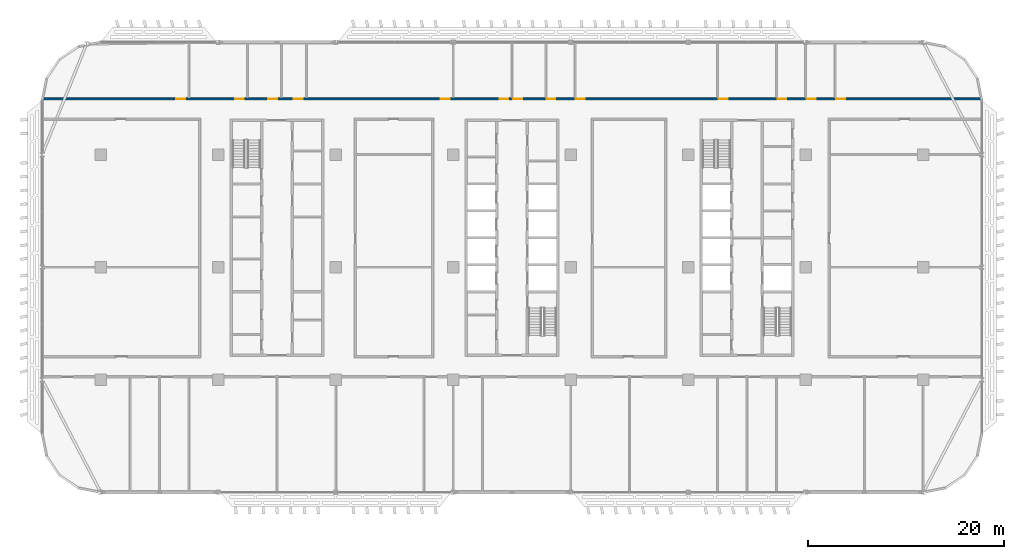
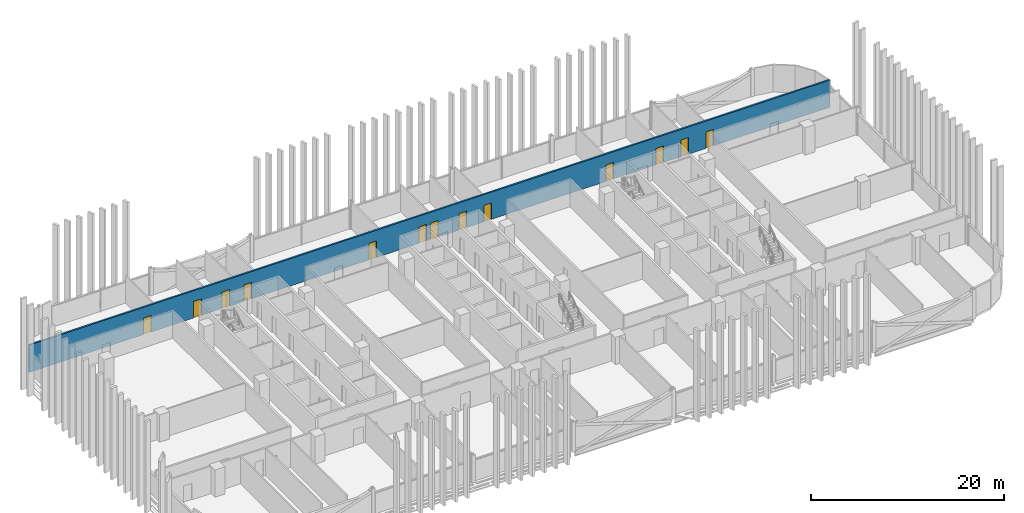
# One storey, part 15 of 28: 13 doors, 1 wall, 13 openings.
"""IFC4 building model written with IfcOpenShell, lengths in metres."""

from ifc_helpers import new_model, si_unit, direction, frame, frame_2d, origin, place, context, subcontext, project, spatial, rectangle, extrude, material, layer, layer_set, type_object, element, fill, save


model = new_model("IFC4")

# Units and contexts
model_context = context("Model", 3, precision=1e-05, world=origin(), true_north=direction((0.0, 1.0)))
body_context = subcontext(model_context, "Body", "Model", "MODEL_VIEW")
ifc_project = project(units=[si_unit("LENGTHUNIT", "METRE"), si_unit("AREAUNIT", "SQUARE_METRE"), si_unit("VOLUMEUNIT", "CUBIC_METRE"), si_unit("PLANEANGLEUNIT", "RADIAN"), si_unit("MASSUNIT", "GRAM", prefix="KILO")], contexts=[model_context])

# Site, building, storey
site_placement = place(None, origin())
site = spatial("IfcSite", under=ifc_project, at=site_placement, CompositionType="ELEMENT")
building_placement = place(site_placement, origin())
building = spatial("IfcBuilding", under=site, at=building_placement, Name="Mahtab Terrace Research Tower", CompositionType="ELEMENT")
storey_placement = place(building_placement, frame((0.0, 0.0, 174.39990234375)))
storey = spatial("IfcBuildingStorey", under=building, at=storey_placement, Name="L41", CompositionType="ELEMENT", Elevation=174.39990234375)

# Wall, openings, doors
ifc_material_1 = material(Name="Gypsum board corridor wall on steel studs", Category="steel")
ifc_layer = layer(ifc_material_1, 0.199951171875)
ifc_layer_set = layer_set([ifc_layer], Name="WALL CORRIDOR 200")
wall_type = type_object("IfcWallType", Name="WALL CORRIDOR 200", PredefinedType="PARTITIONING", material=ifc_layer_set)
wall_placement = place(storey_placement, frame((-47.97509765625, 17.199951171875, 0.0), z_axis=(0.0, 0.0, 1.0), x_axis=(1.0, 0.0, 0.0)))
wall = element("IfcWall", 1, at=wall_placement, inside=storey, type_object=wall_type, Name="L41-W027", PredefinedType="PARTITIONING", context=body_context, shape_type="SweptSolid", body=[
    extrude(rectangle(XDim=95.9501953125, YDim=0.199951171875, at=frame_2d((47.97509765625, 0.0))), origin(), (0.0, 0.0, 1.0), 3.460205078125),
])
opening_1_placement = place(wall_placement, frame((13.699951171875, 0.0, 0.0)))
opening_1 = element("IfcOpeningElement", 2, at=opening_1_placement, cuts=wall, Name="Opening L41-127", PredefinedType="OPENING", context=body_context, shape_type="SweptSolid", body=[
    extrude(rectangle(XDim=0.89990234375, YDim=2.10009765625, at=frame_2d((0.449951171875, 1.050048828125))), frame((0.0, 0.10986328125, 0.0), z_axis=(0.0, -1.0, 0.0), x_axis=(1.0, 0.0, 0.0)), (0.0, 0.0, 1.0), 0.219970703125),
])
opening_2_placement = place(wall_placement, frame((19.699951171875, 0.0, 0.0)))
opening_2 = element("IfcOpeningElement", 3, at=opening_2_placement, cuts=wall, Name="Opening L41-128", PredefinedType="OPENING", context=body_context, shape_type="SweptSolid", body=[
    extrude(rectangle(XDim=0.89990234375, YDim=2.10009765625, at=frame_2d((0.449951171875, 1.050048828125))), frame((0.0, 0.10986328125, 0.0), z_axis=(0.0, -1.0, 0.0), x_axis=(1.0, 0.0, 0.0)), (0.0, 0.0, 1.0), 0.219970703125),
])
opening_3_placement = place(wall_placement, frame((23.10009765625, 0.0, 0.0)))
opening_3 = element("IfcOpeningElement", 4, at=opening_3_placement, cuts=wall, Name="Opening L41-129", PredefinedType="OPENING", context=body_context, shape_type="SweptSolid", body=[
    extrude(rectangle(XDim=0.89990234375, YDim=2.10009765625, at=frame_2d((0.449951171875, 1.050048828125))), frame((0.0, 0.10986328125, 0.0), z_axis=(0.0, -1.0, 0.0), x_axis=(1.0, 0.0, 0.0)), (0.0, 0.0, 1.0), 0.219970703125),
])
opening_4_placement = place(wall_placement, frame((25.699951171875, 0.0, 0.0)))
opening_4 = element("IfcOpeningElement", 5, at=opening_4_placement, cuts=wall, Name="Opening L41-130", PredefinedType="OPENING", context=body_context, shape_type="SweptSolid", body=[
    extrude(rectangle(XDim=0.89990234375, YDim=2.10009765625, at=frame_2d((0.449951171875, 1.050048828125))), frame((0.0, 0.10986328125, 0.0), z_axis=(0.0, -1.0, 0.0), x_axis=(1.0, 0.0, 0.0)), (0.0, 0.0, 1.0), 0.219970703125),
])
opening_5_placement = place(wall_placement, frame((40.699951171875, 0.0, 0.0)))
opening_5 = element("IfcOpeningElement", 6, at=opening_5_placement, cuts=wall, Name="Opening L41-131", PredefinedType="OPENING", context=body_context, shape_type="SweptSolid", body=[
    extrude(rectangle(XDim=0.89990234375, YDim=2.10009765625, at=frame_2d((0.449951171875, 1.050048828125))), frame((0.0, 0.10986328125, 0.0), z_axis=(0.0, -1.0, 0.0), x_axis=(1.0, 0.0, 0.0)), (0.0, 0.0, 1.0), 0.219970703125),
])
opening_6_placement = place(wall_placement, frame((46.699951171875, 0.0, 0.0)))
opening_6 = element("IfcOpeningElement", 7, at=opening_6_placement, cuts=wall, Name="Opening L41-132", PredefinedType="OPENING", context=body_context, shape_type="SweptSolid", body=[
    extrude(rectangle(XDim=0.89990234375, YDim=2.10009765625, at=frame_2d((0.449951171875, 1.050048828125))), frame((0.0, 0.10986328125, 0.0), z_axis=(0.0, -1.0, 0.0), x_axis=(1.0, 0.0, 0.0)), (0.0, 0.0, 1.0), 0.219970703125),
])
opening_7_placement = place(wall_placement, frame((48.10009765625, 0.0, 0.0)))
opening_7 = element("IfcOpeningElement", 8, at=opening_7_placement, cuts=wall, Name="Opening L41-133", PredefinedType="OPENING", context=body_context, shape_type="SweptSolid", body=[
    extrude(rectangle(XDim=0.89990234375, YDim=2.10009765625, at=frame_2d((0.449951171875, 1.050048828125))), frame((0.0, 0.10986328125, 0.0), z_axis=(0.0, -1.0, 0.0), x_axis=(1.0, 0.0, 0.0)), (0.0, 0.0, 1.0), 0.219970703125),
])
opening_8_placement = place(wall_placement, frame((51.5, 0.0, 0.0)))
opening_8 = element("IfcOpeningElement", 9, at=opening_8_placement, cuts=wall, Name="Opening L41-134", PredefinedType="OPENING", context=body_context, shape_type="SweptSolid", body=[
    extrude(rectangle(XDim=0.89990234375, YDim=2.10009765625, at=frame_2d((0.449951171875, 1.050048828125))), frame((0.0, 0.10986328125, 0.0), z_axis=(0.0, -1.0, 0.0), x_axis=(1.0, 0.0, 0.0)), (0.0, 0.0, 1.0), 0.219970703125),
])
opening_9_placement = place(wall_placement, frame((54.5, 0.0, 0.0)))
opening_9 = element("IfcOpeningElement", 10, at=opening_9_placement, cuts=wall, Name="Opening L41-135", PredefinedType="OPENING", context=body_context, shape_type="SweptSolid", body=[
    extrude(rectangle(XDim=0.89990234375, YDim=2.10009765625, at=frame_2d((0.449951171875, 1.050048828125))), frame((0.0, 0.10986328125, 0.0), z_axis=(0.0, -1.0, 0.0), x_axis=(1.0, 0.0, 0.0)), (0.0, 0.0, 1.0), 0.219970703125),
])
opening_10_placement = place(wall_placement, frame((69.10009765625, 0.0, 0.0)))
opening_10 = element("IfcOpeningElement", 11, at=opening_10_placement, cuts=wall, Name="Opening L41-136", PredefinedType="OPENING", context=body_context, shape_type="SweptSolid", body=[
    extrude(rectangle(XDim=0.89990234375, YDim=2.10009765625, at=frame_2d((0.449951171875, 1.050048828125))), frame((0.0, 0.10986328125, 0.0), z_axis=(0.0, -1.0, 0.0), x_axis=(1.0, 0.0, 0.0)), (0.0, 0.0, 1.0), 0.219970703125),
])
opening_11_placement = place(wall_placement, frame((75.10009765625, 0.0, 0.0)))
opening_11 = element("IfcOpeningElement", 12, at=opening_11_placement, cuts=wall, Name="Opening L41-137", PredefinedType="OPENING", context=body_context, shape_type="SweptSolid", body=[
    extrude(rectangle(XDim=0.89990234375, YDim=2.10009765625, at=frame_2d((0.449951171875, 1.050048828125))), frame((0.0, 0.10986328125, 0.0), z_axis=(0.0, -1.0, 0.0), x_axis=(1.0, 0.0, 0.0)), (0.0, 0.0, 1.0), 0.219970703125),
])
opening_12_placement = place(wall_placement, frame((78.10009765625, 0.0, 0.0)))
opening_12 = element("IfcOpeningElement", 13, at=opening_12_placement, cuts=wall, Name="Opening L41-138", PredefinedType="OPENING", context=body_context, shape_type="SweptSolid", body=[
    extrude(rectangle(XDim=0.89990234375, YDim=2.10009765625, at=frame_2d((0.449951171875, 1.050048828125))), frame((0.0, 0.10986328125, 0.0), z_axis=(0.0, -1.0, 0.0), x_axis=(1.0, 0.0, 0.0)), (0.0, 0.0, 1.0), 0.219970703125),
])
opening_13_placement = place(wall_placement, frame((81.10009765625, 0.0, 0.0)))
opening_13 = element("IfcOpeningElement", 14, at=opening_13_placement, cuts=wall, Name="Opening L41-139", PredefinedType="OPENING", context=body_context, shape_type="SweptSolid", body=[
    extrude(rectangle(XDim=0.89990234375, YDim=2.10009765625, at=frame_2d((0.449951171875, 1.050048828125))), frame((0.0, 0.10986328125, 0.0), z_axis=(0.0, -1.0, 0.0), x_axis=(1.0, 0.0, 0.0)), (0.0, 0.0, 1.0), 0.219970703125),
])
ifc_material_2 = material(Name="Timber door leaf in steel frame", Category="steel")
door_type = type_object("IfcDoorType", Name="DOOR 0900X2100 FD30S", OperationType="SINGLE_SWING_LEFT", PredefinedType="DOOR", material=ifc_material_2)
door_1_placement = place(opening_1_placement, origin())
door_1 = element("IfcDoor", 15, at=door_1_placement, inside=storey, type_object=door_type, Name="Door L41-127", OperationType="SINGLE_SWING_LEFT", OverallHeight=2.10009765625, OverallWidth=0.89990234375, PredefinedType="DOOR", context=body_context, shape_type="SweptSolid", body=[
    extrude(rectangle(XDim=0.89990234375, YDim=2.10009765625, at=frame_2d((0.449951171875, 1.050048828125))), frame((0.0, 0.02490234375, 0.0), z_axis=(0.0, -1.0, 0.0), x_axis=(1.0, 0.0, 0.0)), (0.0, 0.0, 1.0), 0.050048828125),
])
fill(opening_1, door_1)
door_2_placement = place(opening_2_placement, origin())
door_2 = element("IfcDoor", 16, at=door_2_placement, inside=storey, type_object=door_type, Name="Door L41-128", OperationType="SINGLE_SWING_LEFT", OverallHeight=2.10009765625, OverallWidth=0.89990234375, PredefinedType="DOOR", context=body_context, shape_type="SweptSolid", body=[
    extrude(rectangle(XDim=0.89990234375, YDim=2.10009765625, at=frame_2d((0.449951171875, 1.050048828125))), frame((0.0, 0.02490234375, 0.0), z_axis=(0.0, -1.0, 0.0), x_axis=(1.0, 0.0, 0.0)), (0.0, 0.0, 1.0), 0.050048828125),
])
fill(opening_2, door_2)
door_3_placement = place(opening_3_placement, origin())
door_3 = element("IfcDoor", 17, at=door_3_placement, inside=storey, type_object=door_type, Name="Door L41-129", OperationType="SINGLE_SWING_LEFT", OverallHeight=2.10009765625, OverallWidth=0.89990234375, PredefinedType="DOOR", context=body_context, shape_type="SweptSolid", body=[
    extrude(rectangle(XDim=0.89990234375, YDim=2.10009765625, at=frame_2d((0.449951171875, 1.050048828125))), frame((0.0, 0.02490234375, 0.0), z_axis=(0.0, -1.0, 0.0), x_axis=(1.0, 0.0, 0.0)), (0.0, 0.0, 1.0), 0.050048828125),
])
fill(opening_3, door_3)
door_4_placement = place(opening_4_placement, origin())
door_4 = element("IfcDoor", 18, at=door_4_placement, inside=storey, type_object=door_type, Name="Door L41-130", OperationType="SINGLE_SWING_LEFT", OverallHeight=2.10009765625, OverallWidth=0.89990234375, PredefinedType="DOOR", context=body_context, shape_type="SweptSolid", body=[
    extrude(rectangle(XDim=0.89990234375, YDim=2.10009765625, at=frame_2d((0.449951171875, 1.050048828125))), frame((0.0, 0.02490234375, 0.0), z_axis=(0.0, -1.0, 0.0), x_axis=(1.0, 0.0, 0.0)), (0.0, 0.0, 1.0), 0.050048828125),
])
fill(opening_4, door_4)
door_5_placement = place(opening_5_placement, origin())
door_5 = element("IfcDoor", 19, at=door_5_placement, inside=storey, type_object=door_type, Name="Door L41-131", OperationType="SINGLE_SWING_LEFT", OverallHeight=2.10009765625, OverallWidth=0.89990234375, PredefinedType="DOOR", context=body_context, shape_type="SweptSolid", body=[
    extrude(rectangle(XDim=0.89990234375, YDim=2.10009765625, at=frame_2d((0.449951171875, 1.050048828125))), frame((0.0, 0.02490234375, 0.0), z_axis=(0.0, -1.0, 0.0), x_axis=(1.0, 0.0, 0.0)), (0.0, 0.0, 1.0), 0.050048828125),
])
fill(opening_5, door_5)
door_6_placement = place(opening_6_placement, origin())
door_6 = element("IfcDoor", 20, at=door_6_placement, inside=storey, type_object=door_type, Name="Door L41-132", OperationType="SINGLE_SWING_LEFT", OverallHeight=2.10009765625, OverallWidth=0.89990234375, PredefinedType="DOOR", context=body_context, shape_type="SweptSolid", body=[
    extrude(rectangle(XDim=0.89990234375, YDim=2.10009765625, at=frame_2d((0.449951171875, 1.050048828125))), frame((0.0, 0.02490234375, 0.0), z_axis=(0.0, -1.0, 0.0), x_axis=(1.0, 0.0, 0.0)), (0.0, 0.0, 1.0), 0.050048828125),
])
fill(opening_6, door_6)
door_7_placement = place(opening_7_placement, origin())
door_7 = element("IfcDoor", 21, at=door_7_placement, inside=storey, type_object=door_type, Name="Door L41-133", OperationType="SINGLE_SWING_RIGHT", OverallHeight=2.10009765625, OverallWidth=0.89990234375, PredefinedType="DOOR", context=body_context, shape_type="SweptSolid", body=[
    extrude(rectangle(XDim=0.89990234375, YDim=2.10009765625, at=frame_2d((0.449951171875, 1.050048828125))), frame((0.0, 0.02490234375, 0.0), z_axis=(0.0, -1.0, 0.0), x_axis=(1.0, 0.0, 0.0)), (0.0, 0.0, 1.0), 0.050048828125),
])
fill(opening_7, door_7)
door_8_placement = place(opening_8_placement, origin())
door_8 = element("IfcDoor", 22, at=door_8_placement, inside=storey, type_object=door_type, Name="Door L41-134", OperationType="SINGLE_SWING_RIGHT", OverallHeight=2.10009765625, OverallWidth=0.89990234375, PredefinedType="DOOR", context=body_context, shape_type="SweptSolid", body=[
    extrude(rectangle(XDim=0.89990234375, YDim=2.10009765625, at=frame_2d((0.449951171875, 1.050048828125))), frame((0.0, 0.02490234375, 0.0), z_axis=(0.0, -1.0, 0.0), x_axis=(1.0, 0.0, 0.0)), (0.0, 0.0, 1.0), 0.050048828125),
])
fill(opening_8, door_8)
door_9_placement = place(opening_9_placement, origin())
door_9 = element("IfcDoor", 23, at=door_9_placement, inside=storey, type_object=door_type, Name="Door L41-135", OperationType="SINGLE_SWING_RIGHT", OverallHeight=2.10009765625, OverallWidth=0.89990234375, PredefinedType="DOOR", context=body_context, shape_type="SweptSolid", body=[
    extrude(rectangle(XDim=0.89990234375, YDim=2.10009765625, at=frame_2d((0.449951171875, 1.050048828125))), frame((0.0, 0.02490234375, 0.0), z_axis=(0.0, -1.0, 0.0), x_axis=(1.0, 0.0, 0.0)), (0.0, 0.0, 1.0), 0.050048828125),
])
fill(opening_9, door_9)
door_10_placement = place(opening_10_placement, origin())
door_10 = element("IfcDoor", 24, at=door_10_placement, inside=storey, type_object=door_type, Name="Door L41-136", OperationType="SINGLE_SWING_RIGHT", OverallHeight=2.10009765625, OverallWidth=0.89990234375, PredefinedType="DOOR", context=body_context, shape_type="SweptSolid", body=[
    extrude(rectangle(XDim=0.89990234375, YDim=2.10009765625, at=frame_2d((0.449951171875, 1.050048828125))), frame((0.0, 0.02490234375, 0.0), z_axis=(0.0, -1.0, 0.0), x_axis=(1.0, 0.0, 0.0)), (0.0, 0.0, 1.0), 0.050048828125),
])
fill(opening_10, door_10)
door_11_placement = place(opening_11_placement, origin())
door_11 = element("IfcDoor", 25, at=door_11_placement, inside=storey, type_object=door_type, Name="Door L41-137", OperationType="SINGLE_SWING_RIGHT", OverallHeight=2.10009765625, OverallWidth=0.89990234375, PredefinedType="DOOR", context=body_context, shape_type="SweptSolid", body=[
    extrude(rectangle(XDim=0.89990234375, YDim=2.10009765625, at=frame_2d((0.449951171875, 1.050048828125))), frame((0.0, 0.02490234375, 0.0), z_axis=(0.0, -1.0, 0.0), x_axis=(1.0, 0.0, 0.0)), (0.0, 0.0, 1.0), 0.050048828125),
])
fill(opening_11, door_11)
door_12_placement = place(opening_12_placement, origin())
door_12 = element("IfcDoor", 26, at=door_12_placement, inside=storey, type_object=door_type, Name="Door L41-138", OperationType="SINGLE_SWING_RIGHT", OverallHeight=2.10009765625, OverallWidth=0.89990234375, PredefinedType="DOOR", context=body_context, shape_type="SweptSolid", body=[
    extrude(rectangle(XDim=0.89990234375, YDim=2.10009765625, at=frame_2d((0.449951171875, 1.050048828125))), frame((0.0, 0.02490234375, 0.0), z_axis=(0.0, -1.0, 0.0), x_axis=(1.0, 0.0, 0.0)), (0.0, 0.0, 1.0), 0.050048828125),
])
fill(opening_12, door_12)
door_13_placement = place(opening_13_placement, origin())
door_13 = element("IfcDoor", 27, at=door_13_placement, inside=storey, type_object=door_type, Name="Door L41-139", OperationType="SINGLE_SWING_RIGHT", OverallHeight=2.10009765625, OverallWidth=0.89990234375, PredefinedType="DOOR", context=body_context, shape_type="SweptSolid", body=[
    extrude(rectangle(XDim=0.89990234375, YDim=2.10009765625, at=frame_2d((0.449951171875, 1.050048828125))), frame((0.0, 0.02490234375, 0.0), z_axis=(0.0, -1.0, 0.0), x_axis=(1.0, 0.0, 0.0)), (0.0, 0.0, 1.0), 0.050048828125),
])
fill(opening_13, door_13)

save(model, "model.ifc")
